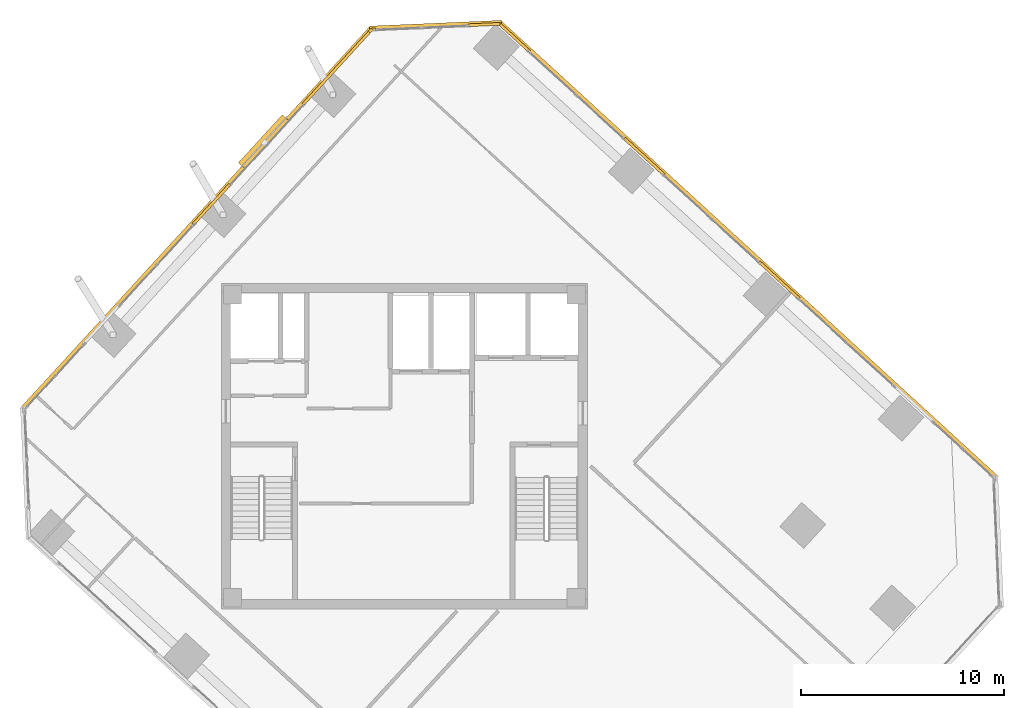
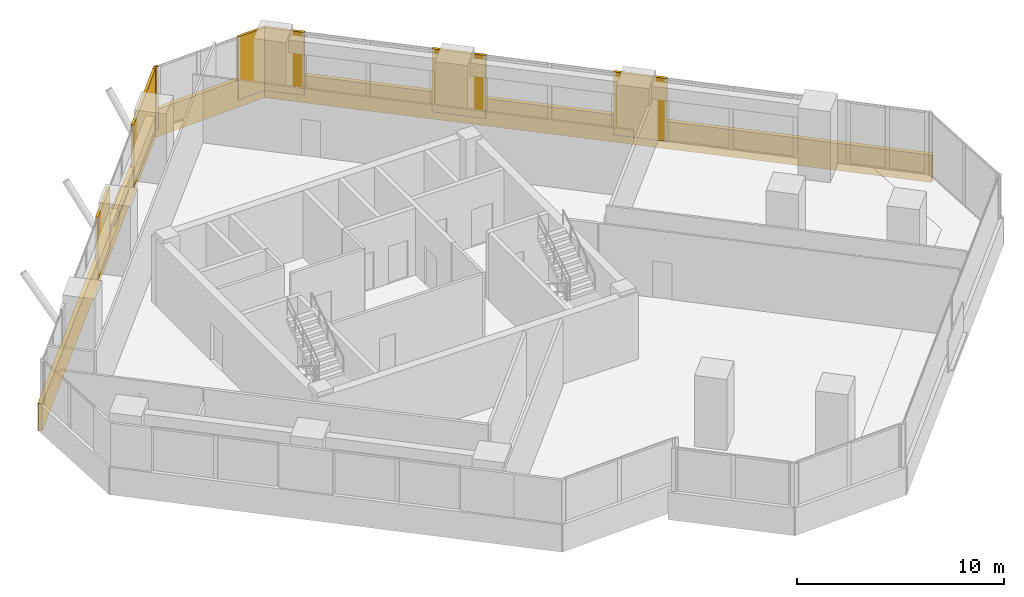
# One storey, part 18 of 18: 11 coverings, 1 shading device.
"""IFC4 building model written with IfcOpenShell, lengths in metres."""

from ifc_helpers import new_model, si_unit, direction, frame, origin, origin_2d, place, context, subcontext, project, spatial, rectangle, extrude, source, transform, mapped, material, layer, layer_set, type_object, element, save


model = new_model("IFC4")

# Units and contexts
model_context = context("Model", 3, precision=1e-05, world=origin(), true_north=direction((0.0, 1.0)))
body_context = subcontext(model_context, "Body", "Model", "MODEL_VIEW")
ifc_project = project(units=[si_unit("LENGTHUNIT", "METRE"), si_unit("AREAUNIT", "SQUARE_METRE"), si_unit("VOLUMEUNIT", "CUBIC_METRE"), si_unit("PLANEANGLEUNIT", "RADIAN"), si_unit("MASSUNIT", "GRAM", prefix="KILO")], contexts=[model_context])

# Site, building, storey
site_placement = place(None, origin())
site = spatial("IfcSite", under=ifc_project, at=site_placement, CompositionType="ELEMENT")
building_placement = place(site_placement, origin())
building = spatial("IfcBuilding", under=site, at=building_placement, Name="Torre Montelarca", CompositionType="ELEMENT")
storey_placement = place(building_placement, frame((0.0, 0.0, 237.39990234375)))
storey = spatial("IfcBuildingStorey", under=building, at=storey_placement, Name="L53", CompositionType="ELEMENT", Elevation=237.39990234375)

# Coverings
ifc_material_1 = material(Name="Bush-hammered warm white precast concrete C45/55", Category="concrete")
ifc_layer_1 = layer(ifc_material_1, 0.139892578125, Name="Bush-hammered warm white precast concrete C45/55", Category="concrete")
ifc_layer_set_1 = layer_set([ifc_layer_1], Name="Bush-hammered warm white precast concrete C45/55")
covering_type = type_object("IfcCoveringType", Name="COV-TRAY-CLAD", PredefinedType="CLADDING", material=ifc_layer_set_1)
shared_shape_1 = source(origin(), body_context, "Body", "SweptSolid", [
    extrude(rectangle(XDim=6.48388671875, YDim=0.219970703125, at=origin_2d()), origin(), (0.0, 0.0, 1.0), 1.6201171875),
])
covering_1_placement = place(storey_placement, frame((19.534912109375, 52.69287109375, -0.449951171875), z_axis=(0.0, 0.0, 1.0), x_axis=(-0.99904814545, -0.043621131033, 0.0)))
element("IfcCovering", 1, at=covering_1_placement, inside=storey, type_object=covering_type, Name="L53 Architectural White Spandrel Tray Band TRYBOT-09", PredefinedType="CLADDING", context=body_context, shape_type="MappedRepresentation", body=[
    mapped(shared_shape_1, transform((0.0, 0.0, 0.0), scale=1.0)),
])
shared_shape_2 = source(origin(), body_context, "Body", "SweptSolid", [
    extrude(rectangle(XDim=25.52001953125, YDim=0.219970703125, at=origin_2d()), origin(), (0.0, 0.0, 1.0), 1.6201171875),
])
covering_2_placement = place(storey_placement, frame((7.796630859375, 43.200439453125, -0.449951171875), z_axis=(0.0, 0.0, 1.0), x_axis=(-0.675588920823, -0.737278515936, 0.0)))
element("IfcCovering", 2, at=covering_2_placement, inside=storey, type_object=covering_type, Name="L53 Architectural White Spandrel Tray Band TRYBOT-10", PredefinedType="CLADDING", context=body_context, shape_type="MappedRepresentation", body=[
    mapped(shared_shape_2, transform((0.0, 0.0, 0.0), scale=1.0)),
])

# Shading device
ifc_material_2 = material(Name="Anodised champagne bronze aluminium AA 6063-T6", Category="aluminium")
ifc_layer_2 = layer(ifc_material_2, 0.070068359375, Name="Anodised champagne bronze aluminium AA 6063-T6", Category="aluminium")
ifc_layer_set_2 = layer_set([ifc_layer_2], Name="Anodised champagne bronze aluminium AA 6063-T6")
shading_device_type = type_object("IfcShadingDeviceType", Name="SHD-SUNSHADE-1", PredefinedType="USERDEFINED", material=ifc_layer_set_2)
shared_shape_3 = source(origin(), body_context, "Body", "SweptSolid", [
    extrude(rectangle(XDim=3.199951171875, YDim=0.47998046875, at=origin_2d()), origin(), (0.0, 0.0, 1.0), 0.10009765625),
])
shading_device_placement = place(storey_placement, frame((11.093505859375, 46.961181640625, 0.570068359375), z_axis=(0.0, 0.0, 1.0), x_axis=(-0.675588920823, -0.737278515936, 0.0)))
element("IfcShadingDevice", 3, at=shading_device_placement, inside=storey, type_object=shading_device_type, Name="L53 Facade Solar Shading Device E10", ObjectType="SUNSHADE", PredefinedType="USERDEFINED", context=body_context, shape_type="MappedRepresentation", body=[
    mapped(shared_shape_3, transform((0.0, 0.0, 0.0), scale=1.0)),
])

# Coverings
shared_shape_4 = source(origin(), body_context, "Body", "SweptSolid", [
    extrude(rectangle(XDim=0.199951171875, YDim=0.139892578125, at=origin_2d()), origin(), (0.0, 0.0, 1.0), 3.719970703125),
])
for number, where, z_axis, x_axis, name in (
    (4, (16.474365234375, 52.499267578125, 0.0), (0.0, 0.0, 1.0), (-0.999047840893, -0.043628105704, 0.0), "L53 Architectural Column Pier Cladding E09-2"),
    (5, (16.3427734375, 52.43798828125, 0.0), (0.0, 0.0, 1.0), (-0.675588920823, -0.737278515936, 0.0), "L53 Architectural Column Pier Cladding E10-1"),
):
    element("IfcCovering", number, at=place(storey_placement, frame(where, z_axis=z_axis, x_axis=x_axis)), inside=storey, type_object=covering_type, Name=name, PredefinedType="CLADDING", context=body_context, shape_type="MappedRepresentation", body=[
        mapped(shared_shape_4, transform((0.0, 0.0, 0.0), scale=1.0)),
    ])
shared_shape_5 = source(origin(), body_context, "Body", "SweptSolid", [
    extrude(rectangle(XDim=2.01416015625, YDim=0.139892578125, at=origin_2d()), origin(), (0.0, 0.0, 1.0), 3.719970703125),
])
covering_3_placement = place(storey_placement, frame((23.406005859375, 52.104248046875, 0.0), z_axis=(0.0, 0.0, 1.0), x_axis=(-0.73727733681, 0.675590207616, 0.0)))
element("IfcCovering", 6, at=covering_3_placement, inside=storey, type_object=covering_type, Name="L53 Architectural Column Pier Cladding E08-5", PredefinedType="CLADDING", context=body_context, shape_type="MappedRepresentation", body=[
    mapped(shared_shape_5, transform((0.0, 0.0, 0.0), scale=1.0)),
])
shared_shape_6 = source(origin(), body_context, "Body", "SweptSolid", [
    extrude(rectangle(XDim=2.659912109375, YDim=0.139892578125, at=origin_2d()), origin(), (0.0, 0.0, 1.0), 3.719970703125),
])
for number, where, z_axis, x_axis, name in (
    (7, (36.438720703125, 40.161865234375, 0.0), (0.0, 0.0, 1.0), (-0.73727733681, 0.675590207616, 0.0), "L53 Architectural Column Pier Cladding E08-3"),
    (8, (29.80322265625, 46.2421875, 0.0), (0.0, 0.0, 1.0), (-0.73727733681, 0.675590207616, 0.0), "L53 Architectural Column Pier Cladding E08-4"),
    (9, (8.5166015625, 43.897216796875, 0.0), (0.0, 0.0, 1.0), (-0.675588920823, -0.737278515936, 0.0), "L53 Architectural Column Pier Cladding E10-3"),
):
    element("IfcCovering", number, at=place(storey_placement, frame(where, z_axis=z_axis, x_axis=x_axis)), inside=storey, type_object=covering_type, Name=name, PredefinedType="CLADDING", context=body_context, shape_type="MappedRepresentation", body=[
        mapped(shared_shape_6, transform((0.0, 0.0, 0.0), scale=1.0)),
    ])
shared_shape_7 = source(origin(), body_context, "Body", "SweptSolid", [
    extrude(rectangle(XDim=1.561767578125, YDim=0.139892578125, at=origin_2d()), origin(), (0.0, 0.0, 1.0), 3.719970703125),
])
covering_4_placement = place(storey_placement, frame((21.92041015625, 52.737060546875, 0.0), z_axis=(0.0, 0.0, 1.0), x_axis=(-0.999047840893, -0.043628105704, 0.0)))
element("IfcCovering", 10, at=covering_4_placement, inside=storey, type_object=covering_type, Name="L53 Architectural Column Pier Cladding E09-1", PredefinedType="CLADDING", context=body_context, shape_type="MappedRepresentation", body=[
    mapped(shared_shape_7, transform((0.0, 0.0, 0.0), scale=1.0)),
])
shared_shape_8 = source(origin(), body_context, "Body", "SweptSolid", [
    extrude(rectangle(XDim=4.914306640625, YDim=0.139892578125, at=origin_2d()), origin(), (0.0, 0.0, 1.0), 3.719970703125),
])
covering_5_placement = place(storey_placement, frame((14.6826171875, 50.62646484375, 0.0), z_axis=(0.0, 0.0, 1.0), x_axis=(-0.675588920823, -0.737278515936, 0.0)))
element("IfcCovering", 11, at=covering_5_placement, inside=storey, type_object=covering_type, Name="L53 Architectural Column Pier Cladding E10-2", PredefinedType="CLADDING", context=body_context, shape_type="MappedRepresentation", body=[
    mapped(shared_shape_8, transform((0.0, 0.0, 0.0), scale=1.0)),
])
shared_shape_9 = source(origin(), body_context, "Body", "SweptSolid", [
    extrude(rectangle(XDim=33.22021484375, YDim=0.219970703125, at=origin_2d()), origin(), (0.0, 0.0, 1.0), 1.6201171875),
])
covering_6_placement = place(storey_placement, frame((34.894287109375, 41.658447265625, -0.449951171875), z_axis=(0.0, 0.0, 1.0), x_axis=(-0.737276157682, 0.675591494406, 0.0)))
element("IfcCovering", 12, at=covering_6_placement, inside=storey, type_object=covering_type, Name="L53 Architectural White Spandrel Tray Band TRYBOT-08", PredefinedType="CLADDING", context=body_context, shape_type="MappedRepresentation", body=[
    mapped(shared_shape_9, transform((0.0, 0.0, 0.0), scale=1.0)),
])

save(model, "model.ifc")
